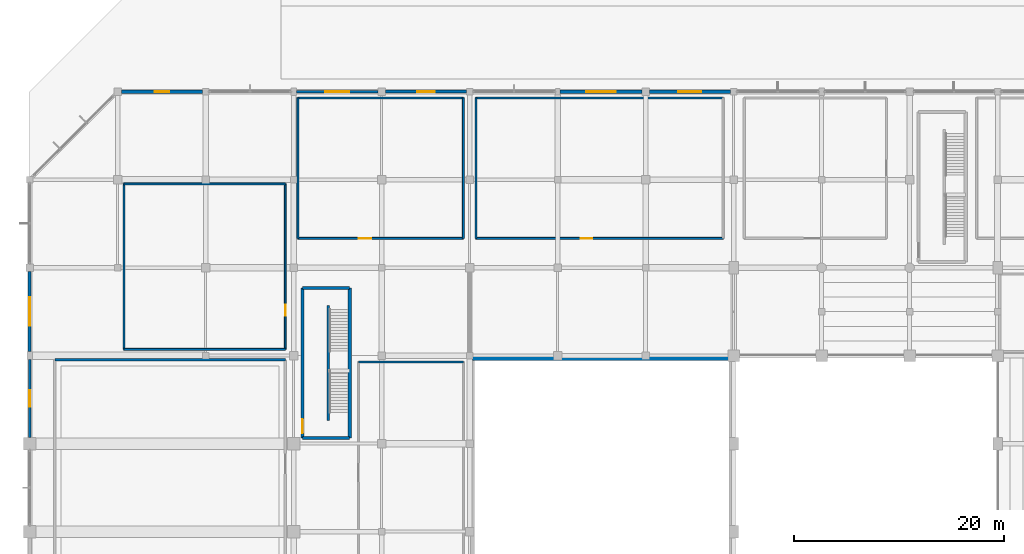
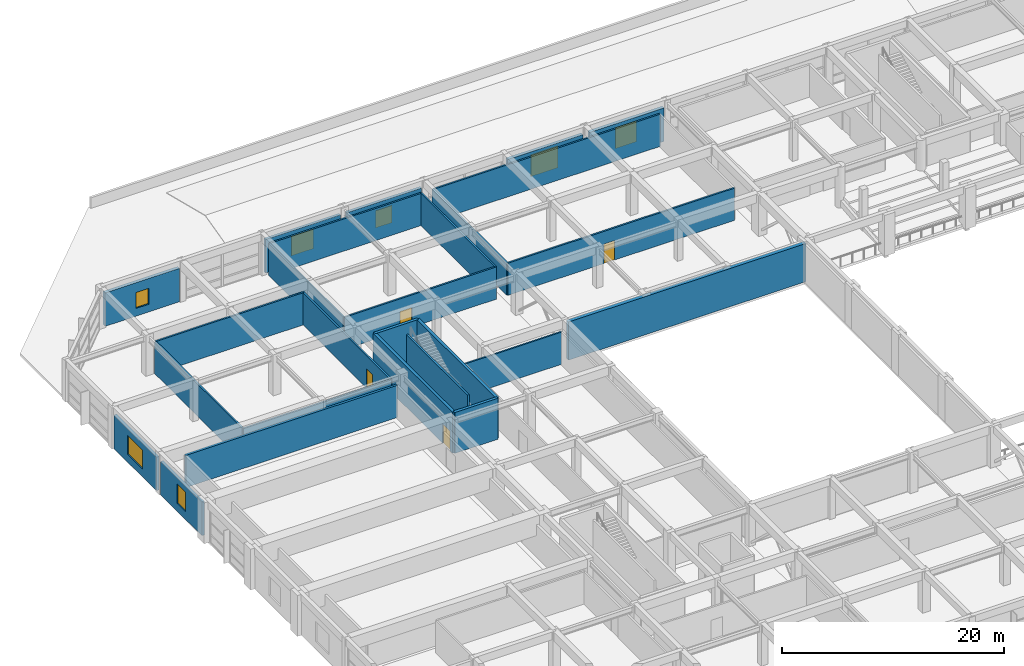
# One storey, part 46 of 60: 26 walls, 7 windows, 4 doors, 11 openings.
"""IFC4 building model written with IfcOpenShell, lengths in metres."""

from ifc_helpers import new_model, si_unit, direction, frame, frame_2d, origin, place, context, subcontext, project, spatial, rectangle, extrude, material, layer, layer_set, type_object, element, fill, save


model = new_model("IFC4")

# Units and contexts
model_context = context("Model", 3, precision=1e-05, world=origin(), true_north=direction((0.0, 1.0)))
body_context = subcontext(model_context, "Body", "Model", "MODEL_VIEW")
ifc_project = project(units=[si_unit("LENGTHUNIT", "METRE"), si_unit("AREAUNIT", "SQUARE_METRE"), si_unit("VOLUMEUNIT", "CUBIC_METRE"), si_unit("PLANEANGLEUNIT", "RADIAN"), si_unit("MASSUNIT", "GRAM", prefix="KILO")], contexts=[model_context])

# Site, building, storey
site_placement = place(None, origin())
site = spatial("IfcSite", under=ifc_project, at=site_placement, CompositionType="ELEMENT")
building_placement = place(site_placement, origin())
building = spatial("IfcBuilding", under=site, at=building_placement, Name="Xuanlan Plaza Opera House", CompositionType="ELEMENT")
storey_placement = place(building_placement, frame((0.0, 0.0, 9.89990234375)))
storey = spatial("IfcBuildingStorey", under=building, at=storey_placement, Name="L02", CompositionType="ELEMENT", Elevation=9.89990234375)

# Wall, opening, window
ifc_material_1 = material(Name="Anodised Aluminium 6063-T6 and Rockwool Cladding", Category="aluminium")
ifc_layer_1 = layer(ifc_material_1, 0.340087890625)
ifc_layer_set_1 = layer_set([ifc_layer_1], Name="Anodised Aluminium 6063-T6 and Rockwool Cladding")
wall_type_1 = type_object("IfcWallType", Name="ENV-WL-EW-02", PredefinedType="STANDARD", material=ifc_layer_set_1)
wall_1_placement = place(storey_placement, frame((66.89990234375, 100.800048828125, 0.0), z_axis=(0.0, 0.0, 1.0), x_axis=(-1.0, 0.0, 0.0)))
wall_1 = element("IfcWall", 1, at=wall_1_placement, inside=storey, type_object=wall_type_1, Name="Exterior Wall L02-040", PredefinedType="STANDARD", context=body_context, shape_type="SweptSolid", body=[
    extrude(rectangle(XDim=7.75, YDim=0.340087890625, at=frame_2d((3.875, 0.0))), origin(), (0.0, 0.0, 1.0), 3.68017578125),
])
opening_1_placement = place(wall_1_placement, frame((2.77490234375, 0.0, 0.85009765625)))
opening_1 = element("IfcOpeningElement", 2, at=opening_1_placement, cuts=wall_1, Name="Opening WN-10", PredefinedType="OPENING", context=body_context, shape_type="SweptSolid", body=[
    extrude(rectangle(XDim=2.199951171875, YDim=2.300048828125, at=frame_2d((1.10009765625, 1.14990234375))), frame((0.0, 0.179931640625, 0.0), z_axis=(0.0, -1.0, 0.0), x_axis=(1.0, 0.0, 0.0)), (0.0, 0.0, 1.0), 0.360107421875),
])
ifc_material_2 = material(Name="Anodised Aluminium 6063-T6 and Low-E Glass", Category="aluminium")
window_type_1 = type_object("IfcWindowType", Name="ENV-WN-WN-10", PartitioningType="DOUBLE_PANEL_VERTICAL", PredefinedType="WINDOW", material=ifc_material_2)
window_1_placement = place(opening_1_placement, origin())
window_1 = element("IfcWindow", 3, at=window_1_placement, inside=storey, type_object=window_type_1, Name="Facade Window L02-040", OverallHeight=2.300048828125, OverallWidth=2.199951171875, PartitioningType="DOUBLE_PANEL_VERTICAL", PredefinedType="WINDOW", context=body_context, shape_type="SweptSolid", body=[
    extrude(rectangle(XDim=2.199951171875, YDim=2.300048828125, at=frame_2d((1.10009765625, 1.14990234375))), frame((0.0, 0.030029296875, 0.0), z_axis=(0.0, -1.0, 0.0), x_axis=(1.0, 0.0, 0.0)), (0.0, 0.0, 1.0), 0.06005859375),
])
fill(opening_1, window_1)

wall_2_placement = place(storey_placement, frame((16.5, 100.800048828125, 0.0), z_axis=(0.0, 0.0, 1.0), x_axis=(-1.0, 0.0, 0.0)))
wall_2 = element("IfcWall", 4, at=wall_2_placement, inside=storey, type_object=wall_type_1, Name="Exterior Wall L02-046", PredefinedType="STANDARD", context=body_context, shape_type="SweptSolid", body=[
    extrude(rectangle(XDim=7.75, YDim=0.340087890625, at=frame_2d((3.875, 0.0))), origin(), (0.0, 0.0, 1.0), 3.68017578125),
])
opening_2_placement = place(wall_2_placement, frame((3.199951171875, 0.0, 0.85009765625)))
opening_2 = element("IfcOpeningElement", 5, at=opening_2_placement, cuts=wall_2, Name="Opening WN-16", PredefinedType="OPENING", context=body_context, shape_type="SweptSolid", body=[
    extrude(rectangle(XDim=1.35009765625, YDim=1.75, at=frame_2d((0.675048828125, 0.875))), frame((0.0, 0.179931640625, 0.0), z_axis=(0.0, -1.0, 0.0), x_axis=(1.0, 0.0, 0.0)), (0.0, 0.0, 1.0), 0.360107421875),
])
window_type_2 = type_object("IfcWindowType", Name="ENV-WN-WN-16", PartitioningType="SINGLE_PANEL", PredefinedType="WINDOW", material=ifc_material_2)
window_2_placement = place(opening_2_placement, origin())
window_2 = element("IfcWindow", 6, at=window_2_placement, inside=storey, type_object=window_type_2, Name="Facade Window L02-046", OverallHeight=1.75, OverallWidth=1.35009765625, PartitioningType="SINGLE_PANEL", PredefinedType="WINDOW", context=body_context, shape_type="SweptSolid", body=[
    extrude(rectangle(XDim=1.35009765625, YDim=1.75, at=frame_2d((0.675048828125, 0.875))), frame((0.0, 0.030029296875, 0.0), z_axis=(0.0, -1.0, 0.0), x_axis=(1.0, 0.0, 0.0)), (0.0, 0.0, 1.0), 0.06005859375),
])
fill(opening_2, window_2)

ifc_layer_2 = layer(ifc_material_1, 0.320068359375)
ifc_layer_set_2 = layer_set([ifc_layer_2], Name="Anodised Aluminium 6063-T6 and Rockwool Cladding")
wall_type_2 = type_object("IfcWallType", Name="ENV-WL-EW-03", PredefinedType="STANDARD", material=ifc_layer_set_2)
wall_3_placement = place(storey_placement, frame((58.449951171875, 100.800048828125, 0.0), z_axis=(0.0, 0.0, 1.0), x_axis=(-1.0, 0.0, 0.0)))
wall_3 = element("IfcWall", 7, at=wall_3_placement, inside=storey, type_object=wall_type_2, Name="Exterior Wall L02-041", PredefinedType="STANDARD", context=body_context, shape_type="SweptSolid", body=[
    extrude(rectangle(XDim=7.824951171875, YDim=0.320068359375, at=frame_2d((3.91259765625, 0.0))), origin(), (0.0, 0.0, 1.0), 3.68017578125),
])
opening_3_placement = place(wall_3_placement, frame((2.512939453125, 0.0, 0.85009765625)))
opening_3 = element("IfcOpeningElement", 8, at=opening_3_placement, cuts=wall_3, Name="Opening WN-11", PredefinedType="OPENING", context=body_context, shape_type="SweptSolid", body=[
    extrude(rectangle(XDim=2.800048828125, YDim=2.39990234375, at=frame_2d((1.39990234375, 1.199951171875))), frame((0.0, 0.169921875, 0.0), z_axis=(0.0, -1.0, 0.0), x_axis=(1.0, 0.0, 0.0)), (0.0, 0.0, 1.0), 0.340087890625),
])
window_type_3 = type_object("IfcWindowType", Name="ENV-WN-WN-11", PartitioningType="TRIPLE_PANEL_VERTICAL", PredefinedType="WINDOW", material=ifc_material_2)
window_3_placement = place(opening_3_placement, origin())
window_3 = element("IfcWindow", 9, at=window_3_placement, inside=storey, type_object=window_type_3, Name="Facade Window L02-041", OverallHeight=2.39990234375, OverallWidth=2.800048828125, PartitioningType="TRIPLE_PANEL_VERTICAL", PredefinedType="WINDOW", context=body_context, shape_type="SweptSolid", body=[
    extrude(rectangle(XDim=2.800048828125, YDim=2.39990234375, at=frame_2d((1.39990234375, 1.199951171875))), frame((0.0, 0.030029296875, 0.0), z_axis=(0.0, -1.0, 0.0), x_axis=(1.0, 0.0, 0.0)), (0.0, 0.0, 1.0), 0.06005859375),
])
fill(opening_3, window_3)

ifc_layer_3 = layer(ifc_material_1, 0.2900390625)
ifc_layer_set_3 = layer_set([ifc_layer_3], Name="Anodised Aluminium 6063-T6 and Rockwool Cladding")
wall_type_3 = type_object("IfcWallType", Name="ENV-WL-EW-05", PredefinedType="STANDARD", material=ifc_layer_set_3)
wall_4_placement = place(storey_placement, frame((41.699951171875, 100.800048828125, 0.0), z_axis=(0.0, 0.0, 1.0), x_axis=(-1.0, 0.0, 0.0)))
wall_4 = element("IfcWall", 10, at=wall_4_placement, inside=storey, type_object=wall_type_3, Name="Exterior Wall L02-043", PredefinedType="STANDARD", context=body_context, shape_type="SweptSolid", body=[
    extrude(rectangle(XDim=7.75, YDim=0.2900390625, at=frame_2d((3.875, 0.0))), origin(), (0.0, 0.0, 1.0), 3.68017578125),
])
opening_4_placement = place(wall_4_placement, frame((3.02490234375, 0.0, 0.85009765625)))
opening_4 = element("IfcOpeningElement", 11, at=opening_4_placement, cuts=wall_4, Name="Opening WN-13", PredefinedType="OPENING", context=body_context, shape_type="SweptSolid", body=[
    extrude(rectangle(XDim=1.699951171875, YDim=1.89990234375, at=frame_2d((0.85009765625, 0.949951171875))), frame((0.0, 0.155029296875, 0.0), z_axis=(0.0, -1.0, 0.0), x_axis=(1.0, 0.0, 0.0)), (0.0, 0.0, 1.0), 0.31005859375),
])
window_type_4 = type_object("IfcWindowType", Name="ENV-WN-WN-13", PartitioningType="DOUBLE_PANEL_VERTICAL", PredefinedType="WINDOW", material=ifc_material_2)
window_4_placement = place(opening_4_placement, origin())
window_4 = element("IfcWindow", 12, at=window_4_placement, inside=storey, type_object=window_type_4, Name="Facade Window L02-043", OverallHeight=1.89990234375, OverallWidth=1.699951171875, PartitioningType="DOUBLE_PANEL_VERTICAL", PredefinedType="WINDOW", context=body_context, shape_type="SweptSolid", body=[
    extrude(rectangle(XDim=1.699951171875, YDim=1.89990234375, at=frame_2d((0.85009765625, 0.949951171875))), frame((0.0, 0.030029296875, 0.0), z_axis=(0.0, -1.0, 0.0), x_axis=(1.0, 0.0, 0.0)), (0.0, 0.0, 1.0), 0.06005859375),
])
fill(opening_4, window_4)

wall_5_placement = place(storey_placement, frame((0.0, 83.64990234375, 0.0), z_axis=(0.0, 0.0, 1.0), x_axis=(0.0, -1.0, 0.0)))
wall_5 = element("IfcWall", 13, at=wall_5_placement, inside=storey, type_object=wall_type_3, Name="Exterior Wall L02-049", PredefinedType="STANDARD", context=body_context, shape_type="SweptSolid", body=[
    extrude(rectangle(XDim=7.6748046875, YDim=0.2900390625, at=frame_2d((3.83740234375, 0.0))), origin(), (0.0, 0.0, 1.0), 3.68017578125),
])
opening_5_placement = place(wall_5_placement, frame((2.488037109375, 0.0, 0.85009765625)))
opening_5 = element("IfcOpeningElement", 14, at=opening_5_placement, cuts=wall_5, Name="Opening WN-19", PredefinedType="OPENING", context=body_context, shape_type="SweptSolid", body=[
    extrude(rectangle(XDim=2.699951171875, YDim=2.10009765625, at=frame_2d((1.35009765625, 1.050048828125))), frame((0.0, 0.155029296875, 0.0), z_axis=(0.0, -1.0, 0.0), x_axis=(1.0, 0.0, 0.0)), (0.0, 0.0, 1.0), 0.31005859375),
])
window_type_5 = type_object("IfcWindowType", Name="ENV-WN-WN-19", PartitioningType="TRIPLE_PANEL_VERTICAL", PredefinedType="WINDOW", material=ifc_material_2)
window_5_placement = place(opening_5_placement, origin())
window_5 = element("IfcWindow", 15, at=window_5_placement, inside=storey, type_object=window_type_5, Name="Facade Window L02-049", OverallHeight=2.10009765625, OverallWidth=2.699951171875, PartitioningType="TRIPLE_PANEL_VERTICAL", PredefinedType="WINDOW", context=body_context, shape_type="SweptSolid", body=[
    extrude(rectangle(XDim=2.699951171875, YDim=2.10009765625, at=frame_2d((1.35009765625, 1.050048828125))), frame((0.0, 0.030029296875, 0.0), z_axis=(0.0, -1.0, 0.0), x_axis=(1.0, 0.0, 0.0)), (0.0, 0.0, 1.0), 0.06005859375),
])
fill(opening_5, window_5)

ifc_layer_4 = layer(ifc_material_1, 0.27001953125)
ifc_layer_set_4 = layer_set([ifc_layer_4], Name="Anodised Aluminium 6063-T6 and Rockwool Cladding")
wall_type_4 = type_object("IfcWallType", Name="ENV-WL-EW-06", PredefinedType="STANDARD", material=ifc_layer_set_4)
wall_6_placement = place(storey_placement, frame((33.25, 100.800048828125, 0.0), z_axis=(0.0, 0.0, 1.0), x_axis=(-1.0, 0.0, 0.0)))
wall_6 = element("IfcWall", 16, at=wall_6_placement, inside=storey, type_object=wall_type_4, Name="Exterior Wall L02-044", PredefinedType="STANDARD", context=body_context, shape_type="SweptSolid", body=[
    extrude(rectangle(XDim=7.800048828125, YDim=0.27001953125, at=frame_2d((3.89990234375, 0.0))), origin(), (0.0, 0.0, 1.0), 3.68017578125),
])
opening_6_placement = place(wall_6_placement, frame((2.75, 0.0, 0.85009765625)))
opening_6 = element("IfcOpeningElement", 17, at=opening_6_placement, cuts=wall_6, Name="Opening WN-14", PredefinedType="OPENING", context=body_context, shape_type="SweptSolid", body=[
    extrude(rectangle(XDim=2.300048828125, YDim=2.14990234375, at=frame_2d((1.14990234375, 1.074951171875))), frame((0.0, 0.14501953125, 0.0), z_axis=(0.0, -1.0, 0.0), x_axis=(1.0, 0.0, 0.0)), (0.0, 0.0, 1.0), 0.2900390625),
])
window_type_6 = type_object("IfcWindowType", Name="ENV-WN-WN-14", PartitioningType="DOUBLE_PANEL_VERTICAL", PredefinedType="WINDOW", material=ifc_material_2)
window_6_placement = place(opening_6_placement, origin())
window_6 = element("IfcWindow", 18, at=window_6_placement, inside=storey, type_object=window_type_6, Name="Facade Window L02-044", OverallHeight=2.14990234375, OverallWidth=2.300048828125, PartitioningType="DOUBLE_PANEL_VERTICAL", PredefinedType="WINDOW", context=body_context, shape_type="SweptSolid", body=[
    extrude(rectangle(XDim=2.300048828125, YDim=2.14990234375, at=frame_2d((1.14990234375, 1.074951171875))), frame((0.0, 0.030029296875, 0.0), z_axis=(0.0, -1.0, 0.0), x_axis=(1.0, 0.0, 0.0)), (0.0, 0.0, 1.0), 0.06005859375),
])
fill(opening_6, window_6)

wall_7_placement = place(storey_placement, frame((0.0, 75.22509765625, 0.0), z_axis=(0.0, 0.0, 1.0), x_axis=(0.0, -1.0, 0.0)))
wall_7 = element("IfcWall", 19, at=wall_7_placement, inside=storey, type_object=wall_type_4, Name="Exterior Wall L02-050", PredefinedType="STANDARD", context=body_context, shape_type="SweptSolid", body=[
    extrude(rectangle(XDim=7.425048828125, YDim=0.27001953125, at=frame_2d((3.71240234375, 0.0))), origin(), (0.0, 0.0, 1.0), 3.68017578125),
])
opening_7_placement = place(wall_7_placement, frame((2.93701171875, 0.0, 0.85009765625)))
opening_7 = element("IfcOpeningElement", 20, at=opening_7_placement, cuts=wall_7, Name="Opening WN-20", PredefinedType="OPENING", context=body_context, shape_type="SweptSolid", body=[
    extrude(rectangle(XDim=1.550048828125, YDim=2.14990234375, at=frame_2d((0.77490234375, 1.074951171875))), frame((0.0, 0.14501953125, 0.0), z_axis=(0.0, -1.0, 0.0), x_axis=(1.0, 0.0, 0.0)), (0.0, 0.0, 1.0), 0.2900390625),
])
window_type_7 = type_object("IfcWindowType", Name="ENV-WN-WN-20", PartitioningType="SINGLE_PANEL", PredefinedType="WINDOW", material=ifc_material_2)
window_7_placement = place(opening_7_placement, origin())
window_7 = element("IfcWindow", 21, at=window_7_placement, inside=storey, type_object=window_type_7, Name="Facade Window L02-050", OverallHeight=2.14990234375, OverallWidth=1.550048828125, PartitioningType="SINGLE_PANEL", PredefinedType="WINDOW", context=body_context, shape_type="SweptSolid", body=[
    extrude(rectangle(XDim=1.550048828125, YDim=2.14990234375, at=frame_2d((0.77490234375, 1.074951171875))), frame((0.0, 0.030029296875, 0.0), z_axis=(0.0, -1.0, 0.0), x_axis=(1.0, 0.0, 0.0)), (0.0, 0.0, 1.0), 0.06005859375),
])
fill(opening_7, window_7)

# Walls
ifc_material_3 = material(Name="Gypsum Board and Galvanised Steel Studs", Category="gypsum")
ifc_layer_5 = layer(ifc_material_3, 0.239990234375)
ifc_layer_set_5 = layer_set([ifc_layer_5], Name="Gypsum Board and Galvanised Steel Studs")
wall_type_5 = type_object("IfcWallType", Name="INT-WL-PW-01", PredefinedType="PARTITIONING", material=ifc_layer_set_5)
wall_8_placement = place(storey_placement, frame((2.39990234375, 75.199951171875, 0.0), z_axis=(0.0, 0.0, 1.0), x_axis=(1.0, 0.0, 0.0)))
element("IfcWall", 22, at=wall_8_placement, inside=storey, type_object=wall_type_5, Name="Ballet Rehearsal Stage Wall North", PredefinedType="PARTITIONING", context=body_context, shape_type="SweptSolid", body=[
    extrude(rectangle(XDim=22.0, YDim=0.239990234375, at=frame_2d((11.0, 0.0))), origin(), (0.0, 0.0, 1.0), 3.5400390625),
])
ifc_layer_6 = layer(ifc_material_3, 0.179931640625)
ifc_layer_set_6 = layer_set([ifc_layer_6], Name="Gypsum Board and Galvanised Steel Studs")
wall_type_6 = type_object("IfcWallType", Name="INT-WL-PW-02", PredefinedType="PARTITIONING", material=ifc_layer_set_6)
for number, where, z_axis, x_axis, name in (
    (23, (9.0, 76.199951171875, 0.0), (0.0, 0.0, 1.0), (1.0, 0.0, 0.0), "Choreography Video Archive Wall South"),
    (24, (9.0, 92.0, 0.0), (0.0, 0.0, 1.0), (1.0, 0.0, 0.0), "Choreography Video Archive Wall North"),
):
    element("IfcWall", number, at=place(storey_placement, frame(where, z_axis=z_axis, x_axis=x_axis)), inside=storey, type_object=wall_type_6, Name=name, PredefinedType="PARTITIONING", context=body_context, shape_type="SweptSolid", body=[
        extrude(rectangle(XDim=15.39990234375, YDim=0.179931640625, at=frame_2d((7.699951171875, 0.0))), origin(), (0.0, 0.0, 1.0), 3.5400390625),
    ])
wall_9_placement = place(storey_placement, frame((9.0, 76.199951171875, 0.0), z_axis=(0.0, 0.0, 1.0), x_axis=(0.0, 1.0, 0.0)))
element("IfcWall", 25, at=wall_9_placement, inside=storey, type_object=wall_type_6, Name="Choreography Video Archive Wall West", PredefinedType="PARTITIONING", context=body_context, shape_type="SweptSolid", body=[
    extrude(rectangle(XDim=15.800048828125, YDim=0.179931640625, at=frame_2d((7.89990234375, 0.0))), origin(), (0.0, 0.0, 1.0), 3.5400390625),
])

# Wall, opening, door
wall_10_placement = place(storey_placement, frame((24.39990234375, 76.199951171875, 0.0), z_axis=(0.0, 0.0, 1.0), x_axis=(0.0, 1.0, 0.0)))
wall_10 = element("IfcWall", 26, at=wall_10_placement, inside=storey, type_object=wall_type_6, Name="Choreography Video Archive Wall East", PredefinedType="PARTITIONING", context=body_context, shape_type="SweptSolid", body=[
    extrude(rectangle(XDim=15.800048828125, YDim=0.179931640625, at=frame_2d((7.89990234375, 0.0))), origin(), (0.0, 0.0, 1.0), 3.5400390625),
])
opening_8_placement = place(wall_10_placement, frame((3.199951171875, 0.0, 0.0)))
opening_8 = element("IfcOpeningElement", 27, at=opening_8_placement, cuts=wall_10, Name="Opening D-06", PredefinedType="OPENING", context=body_context, shape_type="SweptSolid", body=[
    extrude(rectangle(XDim=1.080078125, YDim=2.1201171875, at=frame_2d((0.5400390625, 1.06005859375))), frame((0.0, 0.099853515625, 0.0), z_axis=(0.0, -1.0, 0.0), x_axis=(1.0, 0.0, 0.0)), (0.0, 0.0, 1.0), 0.199951171875),
])
ifc_material_4 = material(Name="Oak Hardwood Timber", Category="wood")
door_type_1 = type_object("IfcDoorType", Name="INT-DR-D-06", OperationType="NOTDEFINED", PredefinedType="DOOR", material=ifc_material_4)
door_1_placement = place(opening_8_placement, origin())
door_1 = element("IfcDoor", 28, at=door_1_placement, inside=storey, type_object=door_type_1, Name="Choreography Video Archive Door 1", OperationType="SINGLE_SWING_RIGHT", OverallHeight=2.1201171875, OverallWidth=1.080078125, PredefinedType="DOOR", context=body_context, shape_type="SweptSolid", body=[
    extrude(rectangle(XDim=1.080078125, YDim=2.1201171875, at=frame_2d((0.5400390625, 1.06005859375))), frame((0.0, 0.02490234375, 0.0), z_axis=(0.0, -1.0, 0.0), x_axis=(1.0, 0.0, 0.0)), (0.0, 0.0, 1.0), 0.050048828125),
])
fill(opening_8, door_1)

wall_11_placement = place(storey_placement, frame((25.60009765625, 86.800048828125, 0.0), z_axis=(0.0, 0.0, 1.0), x_axis=(1.0, 0.0, 0.0)))
wall_11 = element("IfcWall", 29, at=wall_11_placement, inside=storey, type_object=wall_type_6, Name="Soloist Vocal Coaching Studio Wall South", PredefinedType="PARTITIONING", context=body_context, shape_type="SweptSolid", body=[
    extrude(rectangle(XDim=15.7998046875, YDim=0.179931640625, at=frame_2d((7.89990234375, 0.0))), origin(), (0.0, 0.0, 1.0), 3.5400390625),
])
opening_9_placement = place(wall_11_placement, frame((5.800048828125, 0.0, 0.0)))
opening_9 = element("IfcOpeningElement", 30, at=opening_9_placement, cuts=wall_11, Name="Opening D-05", PredefinedType="OPENING", context=body_context, shape_type="SweptSolid", body=[
    extrude(rectangle(XDim=1.219970703125, YDim=2.14990234375, at=frame_2d((0.60986328125, 1.074951171875))), frame((0.0, 0.099853515625, 0.0), z_axis=(0.0, -1.0, 0.0), x_axis=(1.0, 0.0, 0.0)), (0.0, 0.0, 1.0), 0.199951171875),
])
ifc_material_5 = material(Name="Walnut Hardwood Timber", Category="wood")
door_type_2 = type_object("IfcDoorType", Name="INT-DR-D-05", OperationType="NOTDEFINED", PredefinedType="DOOR", material=ifc_material_5)
door_2_placement = place(opening_9_placement, origin())
door_2 = element("IfcDoor", 31, at=door_2_placement, inside=storey, type_object=door_type_2, Name="Soloist Vocal Coaching Studio Door 1", OperationType="SINGLE_SWING_LEFT", OverallHeight=2.14990234375, OverallWidth=1.219970703125, PredefinedType="DOOR", context=body_context, shape_type="SweptSolid", body=[
    extrude(rectangle(XDim=1.219970703125, YDim=2.14990234375, at=frame_2d((0.60986328125, 1.074951171875))), frame((0.0, 0.02490234375, 0.0), z_axis=(0.0, -1.0, 0.0), x_axis=(1.0, 0.0, 0.0)), (0.0, 0.0, 1.0), 0.050048828125),
])
fill(opening_9, door_2)

# Walls
wall_12_placement = place(storey_placement, frame((25.60009765625, 100.199951171875, 0.0), z_axis=(0.0, 0.0, 1.0), x_axis=(1.0, 0.0, 0.0)))
element("IfcWall", 32, at=wall_12_placement, inside=storey, type_object=wall_type_6, Name="Soloist Vocal Coaching Studio Wall North", PredefinedType="PARTITIONING", context=body_context, shape_type="SweptSolid", body=[
    extrude(rectangle(XDim=15.7998046875, YDim=0.179931640625, at=frame_2d((7.89990234375, 0.0))), origin(), (0.0, 0.0, 1.0), 3.5400390625),
])
for number, where, z_axis, x_axis, name in (
    (33, (25.60009765625, 86.800048828125, 0.0), (0.0, 0.0, 1.0), (0.0, 1.0, 0.0), "Soloist Vocal Coaching Studio Wall West"),
    (34, (41.39990234375, 86.800048828125, 0.0), (0.0, 0.0, 1.0), (0.0, 1.0, 0.0), "Soloist Vocal Coaching Studio Wall East"),
):
    element("IfcWall", number, at=place(storey_placement, frame(where, z_axis=z_axis, x_axis=x_axis)), inside=storey, type_object=wall_type_6, Name=name, PredefinedType="PARTITIONING", context=body_context, shape_type="SweptSolid", body=[
        extrude(rectangle(XDim=13.39990234375, YDim=0.179931640625, at=frame_2d((6.699951171875, 0.0))), origin(), (0.0, 0.0, 1.0), 3.5400390625),
    ])

# Wall, opening, door
wall_13_placement = place(storey_placement, frame((42.60009765625, 86.800048828125, 0.0), z_axis=(0.0, 0.0, 1.0), x_axis=(1.0, 0.0, 0.0)))
wall_13 = element("IfcWall", 35, at=wall_13_placement, inside=storey, type_object=wall_type_6, Name="Orchestral Sheet-Music Library Archive Wall South", PredefinedType="PARTITIONING", context=body_context, shape_type="SweptSolid", body=[
    extrude(rectangle(XDim=23.599853515625, YDim=0.179931640625, at=frame_2d((11.7998046875, 0.0))), origin(), (0.0, 0.0, 1.0), 3.5400390625),
])
opening_10_placement = place(wall_13_placement, frame((10.0, 0.0, 0.0)))
opening_10 = element("IfcOpeningElement", 36, at=opening_10_placement, cuts=wall_13, Name="Opening D-10", PredefinedType="OPENING", context=body_context, shape_type="SweptSolid", body=[
    extrude(rectangle(XDim=1.1201171875, YDim=2.139892578125, at=frame_2d((0.56005859375, 1.06982421875))), frame((0.0, 0.099853515625, 0.0), z_axis=(0.0, -1.0, 0.0), x_axis=(1.0, 0.0, 0.0)), (0.0, 0.0, 1.0), 0.199951171875),
])
door_type_3 = type_object("IfcDoorType", Name="INT-DR-D-10", OperationType="NOTDEFINED", PredefinedType="DOOR", material=ifc_material_4)
door_3_placement = place(opening_10_placement, origin())
door_3 = element("IfcDoor", 37, at=door_3_placement, inside=storey, type_object=door_type_3, Name="Orchestral Sheet-Music Library Archive Door 1", OperationType="SINGLE_SWING_LEFT", OverallHeight=2.139892578125, OverallWidth=1.1201171875, PredefinedType="DOOR", context=body_context, shape_type="SweptSolid", body=[
    extrude(rectangle(XDim=1.1201171875, YDim=2.139892578125, at=frame_2d((0.56005859375, 1.06982421875))), frame((0.0, 0.02490234375, 0.0), z_axis=(0.0, -1.0, 0.0), x_axis=(1.0, 0.0, 0.0)), (0.0, 0.0, 1.0), 0.050048828125),
])
fill(opening_10, door_3)

# Walls
wall_14_placement = place(storey_placement, frame((42.60009765625, 100.199951171875, 0.0), z_axis=(0.0, 0.0, 1.0), x_axis=(1.0, 0.0, 0.0)))
element("IfcWall", 38, at=wall_14_placement, inside=storey, type_object=wall_type_6, Name="Orchestral Sheet-Music Library Archive Wall North", PredefinedType="PARTITIONING", context=body_context, shape_type="SweptSolid", body=[
    extrude(rectangle(XDim=23.599853515625, YDim=0.179931640625, at=frame_2d((11.7998046875, 0.0))), origin(), (0.0, 0.0, 1.0), 3.5400390625),
])
wall_15_placement = place(storey_placement, frame((42.60009765625, 86.800048828125, 0.0), z_axis=(0.0, 0.0, 1.0), x_axis=(0.0, 1.0, 0.0)))
element("IfcWall", 39, at=wall_15_placement, inside=storey, type_object=wall_type_6, Name="Orchestral Sheet-Music Library Archive Wall West", PredefinedType="PARTITIONING", context=body_context, shape_type="SweptSolid", body=[
    extrude(rectangle(XDim=13.39990234375, YDim=0.179931640625, at=frame_2d((6.699951171875, 0.0))), origin(), (0.0, 0.0, 1.0), 3.5400390625),
])
ifc_layer_7 = layer(ifc_material_3, 0.159912109375)
ifc_layer_set_7 = layer_set([ifc_layer_7], Name="Gypsum Board and Galvanised Steel Studs")
wall_type_7 = type_object("IfcWallType", Name="INT-WL-PW-05", PredefinedType="PARTITIONING", material=ifc_layer_set_7)
wall_16_placement = place(storey_placement, frame((31.39990234375, 75.0, 0.0), z_axis=(0.0, 0.0, 1.0), x_axis=(1.0, 0.0, 0.0)))
element("IfcWall", 40, at=wall_16_placement, inside=storey, type_object=wall_type_7, Name="Stage Scenery Cloth Store Wall North", PredefinedType="PARTITIONING", context=body_context, shape_type="SweptSolid", body=[
    extrude(rectangle(XDim=10.0, YDim=0.159912109375, at=frame_2d((5.0, 0.0))), origin(), (0.0, 0.0, 1.0), 3.5400390625),
])
ifc_material_6 = material(Name="Concrete C50", Category="concrete")
ifc_layer_8 = layer(ifc_material_6, 0.3798828125)
ifc_layer_set_8 = layer_set([ifc_layer_8], Name="Concrete C50")
wall_type_8 = type_object("IfcWallType", Name="INT-WL-SW-FW1", PredefinedType="SHEAR", material=ifc_layer_set_8)
wall_17_placement = place(storey_placement, frame((42.25, 75.35009765625, 0.0), z_axis=(0.0, 0.0, 1.0), x_axis=(1.0, 0.0, 0.0)))
element("IfcWall", 41, at=wall_17_placement, inside=storey, type_object=wall_type_8, Name="Proscenium and Fly Shaft Wall L02-N", PredefinedType="SHEAR", context=body_context, shape_type="SweptSolid", body=[
    extrude(rectangle(XDim=24.699951171875, YDim=0.3798828125, at=frame_2d((12.35009765625, 0.0))), origin(), (0.0, 0.0, 1.0), 4.2001953125),
])
ifc_material_7 = material(Name="Concrete C40", Category="concrete")
ifc_layer_9 = layer(ifc_material_7, 0.199951171875)
ifc_layer_set_9 = layer_set([ifc_layer_9], Name="Concrete C40")
wall_type_9 = type_object("IfcWallType", Name="INT-WL-SW-SPN", PredefinedType="SHEAR", material=ifc_layer_set_9)
wall_18_placement = place(storey_placement, frame((28.5, 69.39990234375, 0.0), z_axis=(0.0, 0.0, 1.0), x_axis=(0.0, 1.0, 0.0)))
element("IfcWall", 42, at=wall_18_placement, inside=storey, type_object=wall_type_9, Name="Stair Structural Spine Wall ST-P2 L02", PredefinedType="SHEAR", context=body_context, shape_type="SweptSolid", body=[
    extrude(rectangle(XDim=11.0, YDim=0.199951171875, at=frame_2d((5.5, 0.0))), origin(), (0.0, 0.0, 1.0), 4.5),
])
ifc_layer_10 = layer(ifc_material_7, 0.300048828125)
ifc_layer_set_10 = layer_set([ifc_layer_10], Name="Concrete C40")
wall_type_10 = type_object("IfcWallType", Name="INT-WL-SW-ST1", PredefinedType="SHEAR", material=ifc_layer_set_10)
for number, where, z_axis, x_axis, name in (
    (43, (26.050048828125, 67.75, 0.0), (0.0, 0.0, 1.0), (1.0, 0.0, 0.0), "Stair Core Wall ST-P2 L02 South"),
    (44, (26.050048828125, 82.050048828125, 0.0), (0.0, 0.0, 1.0), (1.0, 0.0, 0.0), "Stair Core Wall ST-P2 L02 North"),
):
    element("IfcWall", number, at=place(storey_placement, frame(where, z_axis=z_axis, x_axis=x_axis)), inside=storey, type_object=wall_type_10, Name=name, PredefinedType="SHEAR", context=body_context, shape_type="SweptSolid", body=[
        extrude(rectangle(XDim=4.5, YDim=0.300048828125, at=frame_2d((2.25, 0.0))), origin(), (0.0, 0.0, 1.0), 4.5),
    ])

# Wall, opening, door
wall_19_placement = place(storey_placement, frame((26.050048828125, 67.75, 0.0), z_axis=(0.0, 0.0, 1.0), x_axis=(0.0, 1.0, 0.0)))
wall_19 = element("IfcWall", 45, at=wall_19_placement, inside=storey, type_object=wall_type_10, Name="Stair Core Wall ST-P2 L02 West", PredefinedType="SHEAR", context=body_context, shape_type="SweptSolid", body=[
    extrude(rectangle(XDim=14.300048828125, YDim=0.300048828125, at=frame_2d((7.14990234375, 0.0))), origin(), (0.0, 0.0, 1.0), 4.5),
])
opening_11_placement = place(wall_19_placement, frame((0.449951171875, 0.0, 0.0)))
opening_11 = element("IfcOpeningElement", 46, at=opening_11_placement, cuts=wall_19, Name="Opening FD-ST2", PredefinedType="OPENING", context=body_context, shape_type="SweptSolid", body=[
    extrude(rectangle(XDim=1.35009765625, YDim=2.14990234375, at=frame_2d((0.675048828125, 1.074951171875))), frame((0.0, 0.159912109375, 0.0), z_axis=(0.0, -1.0, 0.0), x_axis=(1.0, 0.0, 0.0)), (0.0, 0.0, 1.0), 0.320068359375),
])
ifc_material_8 = material(Name="Galvanised Steel Q235B", Category="steel")
door_type_4 = type_object("IfcDoorType", Name="INT-DR-FD-ST2", OperationType="NOTDEFINED", PredefinedType="DOOR", material=ifc_material_8)
door_4_placement = place(opening_11_placement, frame((1.35009765625, 0.0, 0.0), z_axis=(0.0, 0.0, 1.0), x_axis=(-1.0, 0.0, 0.0)))
door_4 = element("IfcDoor", 47, at=door_4_placement, inside=storey, type_object=door_type_4, Name="Stair Enclosure Fire Door ST-P2 L02", OperationType="SINGLE_SWING_RIGHT", OverallHeight=2.14990234375, OverallWidth=1.35009765625, PredefinedType="DOOR", context=body_context, shape_type="SweptSolid", body=[
    extrude(rectangle(XDim=1.35009765625, YDim=2.14990234375, at=frame_2d((0.675048828125, 1.074951171875))), frame((0.0, 0.02490234375, 0.0), z_axis=(0.0, -1.0, 0.0), x_axis=(1.0, 0.0, 0.0)), (0.0, 0.0, 1.0), 0.050048828125),
])
fill(opening_11, door_4)

# Wall
wall_20_placement = place(storey_placement, frame((30.550048828125, 67.75, 0.0), z_axis=(0.0, 0.0, 1.0), x_axis=(0.0, 1.0, 0.0)))
element("IfcWall", 48, at=wall_20_placement, inside=storey, type_object=wall_type_10, Name="Stair Core Wall ST-P2 L02 East", PredefinedType="SHEAR", context=body_context, shape_type="SweptSolid", body=[
    extrude(rectangle(XDim=14.300048828125, YDim=0.300048828125, at=frame_2d((7.14990234375, 0.0))), origin(), (0.0, 0.0, 1.0), 4.5),
])

save(model, "model.ifc")
